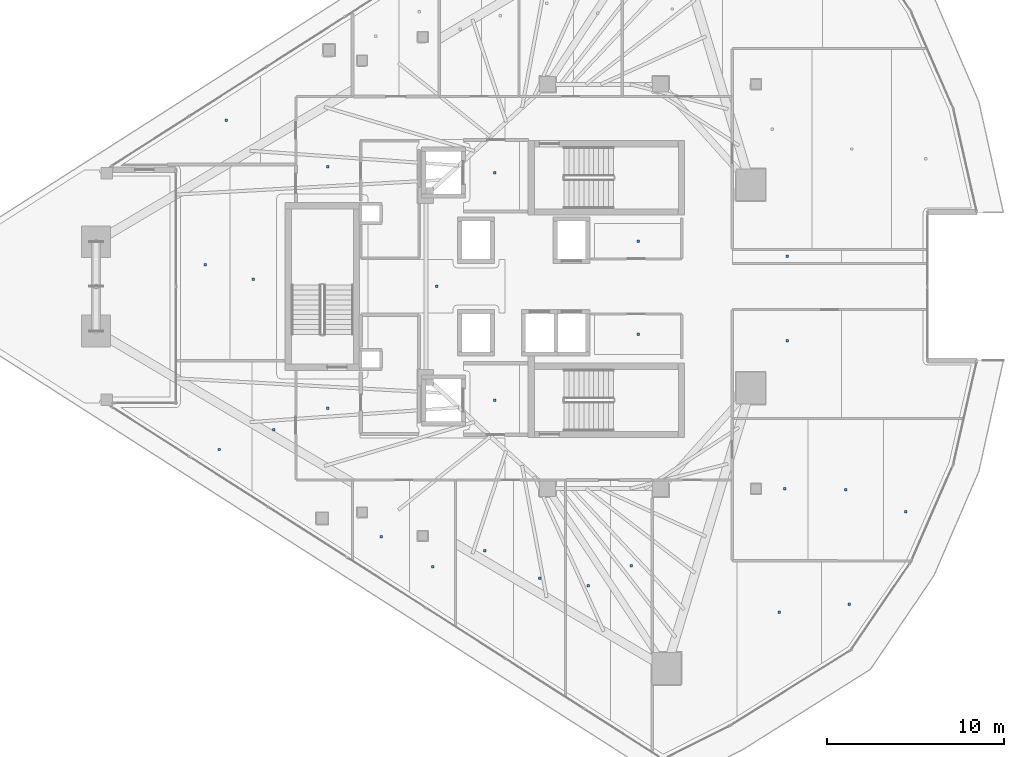
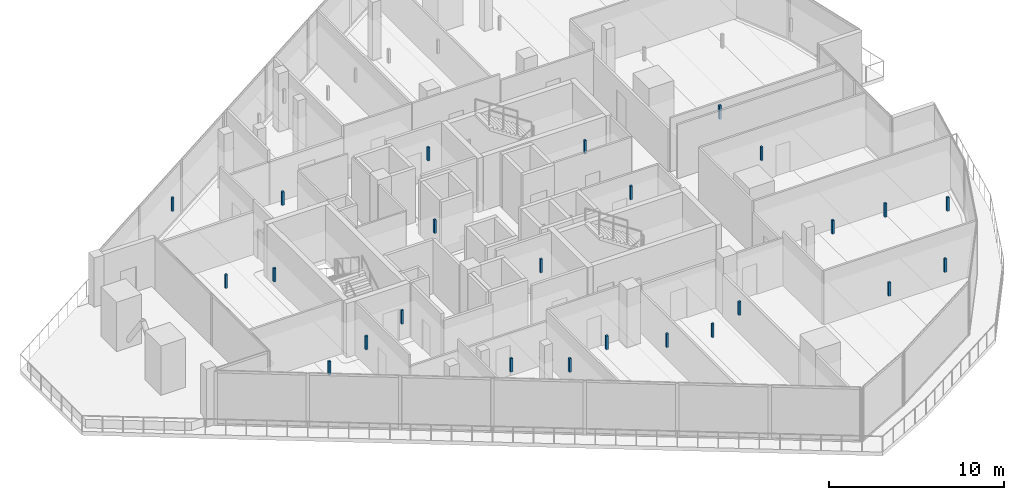
# One storey, part 29 of 36: 25 discrete accessories.
"""IFC4 building model written with IfcOpenShell, lengths in metres."""

import ifcopenshell
import ifcopenshell.guid

model = None  # the IFC model being written
_history = None  # IfcOwnerHistory: only IFC2X3 demands one
_inside = {}  # id of a spatial element -> (the spatial element, [elements in it])
_under = {}  # id of a project, library or spatial element -> (it, [spatial elements below it])
_declared = {}  # id of a project -> (the project, [libraries it declares])
_typed = {}  # id of a type object -> (the type object, [elements of that type])
_made_of = {}  # id of a material, layer set ... -> (it, [elements and type objects made of it])


def new_model(schema):
    """Start an empty IFC model of exactly this schema.

    Asked for "IFC4X3", IfcOpenShell would pick the latest addendum, in which some entities
    have other attributes; the version numbers below select the first issue.
    IFC2X3 requires an IfcOwnerHistory on every rooted entity: one is made here for all.
    """
    global model, _history
    if schema == "IFC4X3":
        model = ifcopenshell.file(schema_version=(4, 3, 0, 0))
    else:
        model = ifcopenshell.file(schema=schema)
    _inside.clear()
    _under.clear()
    _declared.clear()
    _typed.clear()
    _made_of.clear()
    _history = None
    if model.schema == "IFC2X3":
        org = make("IfcOrganization", Name="unknown")
        user = make(
            "IfcPersonAndOrganization",
            ThePerson=make("IfcPerson", FamilyName="unknown"),
            TheOrganization=org,
        )
        app = make(
            "IfcApplication",
            ApplicationDeveloper=org,
            Version="unknown",
            ApplicationFullName="unknown",
            ApplicationIdentifier="unknown",
        )
        _history = make(
            "IfcOwnerHistory",
            OwningUser=user,
            OwningApplication=app,
            ChangeAction="ADDED",
            CreationDate=0,
        )
    return model


def make(cls, **values):
    """One entity of the class cls with the attributes given. An attribute that is None is left unset."""
    return model.create_entity(
        cls, **{name: value for name, value in values.items() if value is not None}
    )


def rooted(cls, **values):
    """An entity with a GlobalId (a new one), such as an element, a storey or a relation."""
    return make(cls, GlobalId=ifcopenshell.guid.new(), OwnerHistory=_history, **values)


def si_unit(unit_type, name, prefix=None):
    """IfcSIUnit, for example si_unit("LENGTHUNIT", "METRE", prefix="MILLI")."""
    return make("IfcSIUnit", UnitType=unit_type, Prefix=prefix, Name=name)


def assignment(units):
    """IfcUnitAssignment: the units of a project."""
    return None if units is None else make("IfcUnitAssignment", Units=units)


def point(xyz):
    """IfcCartesianPoint."""
    return None if xyz is None else make("IfcCartesianPoint", Coordinates=xyz)


def direction(xyz):
    """IfcDirection."""
    return None if xyz is None else make("IfcDirection", DirectionRatios=xyz)


def frame(location, z_axis=None, x_axis=None):
    """IfcAxis2Placement3D, a coordinate frame: its origin and axes. An axis left out is left unset."""
    return make(
        "IfcAxis2Placement3D",
        Location=point(location),
        Axis=direction(z_axis),
        RefDirection=direction(x_axis),
    )


def frame_2d(location, x_axis=None):
    """IfcAxis2Placement2D, a coordinate frame in the plane: its origin and x axis."""
    return make(
        "IfcAxis2Placement2D", Location=point(location), RefDirection=direction(x_axis)
    )


def origin():
    """The frame at (0, 0, 0) with its axes left unset."""
    return frame((0.0, 0.0, 0.0))


def origin_2d():
    """The frame at (0, 0) in the plane with its x axis left unset."""
    return frame_2d((0.0, 0.0))


def place(relative_to, where):
    """IfcLocalPlacement: puts the frame where relative to a parent placement (None: the world)."""
    return make(
        "IfcLocalPlacement", PlacementRelTo=relative_to, RelativePlacement=where
    )


def context(
    kind, dimensions, precision=None, world=None, true_north=None, identifier=None
):
    """IfcGeometricRepresentationContext, for example the 3D "Model" context."""
    return make(
        "IfcGeometricRepresentationContext",
        ContextIdentifier=identifier,
        ContextType=kind,
        CoordinateSpaceDimension=dimensions,
        Precision=precision,
        WorldCoordinateSystem=world,
        TrueNorth=true_north,
    )


def subcontext(parent, identifier, kind, view, scale=None):
    """IfcGeometricRepresentationSubContext, for example "Body" below "Model"."""
    return make(
        "IfcGeometricRepresentationSubContext",
        ContextIdentifier=identifier,
        ContextType=kind,
        ParentContext=parent,
        TargetScale=scale,
        TargetView=view,
    )


def project(units=None, contexts=None):
    """IfcProject with its units and contexts."""
    return rooted(
        "IfcProject",
        Name="project",
        RepresentationContexts=contexts,
        UnitsInContext=assignment(units),
    )


def spatial(cls, under=None, at=None, **own):
    """A site, building, storey or space (cls), placed at a placement, below another one or the project."""
    s = rooted(cls, ObjectPlacement=at, **own)
    if under is not None:
        _under.setdefault(under.id(), (under, []))[1].append(s)
    return s


def profile(cls, at=None, kind="AREA", **sizes):
    """A parametric profile (cls). Its sizes go by their IFC names, for example OverallWidth=200.0."""
    return make(cls, ProfileType=kind, Position=at, **sizes)


def rectangle(**sizes):
    """IfcRectangleProfileDef."""
    return profile("IfcRectangleProfileDef", **sizes)


def extrude(swept, where, along, depth):
    """IfcExtrudedAreaSolid: the profile swept, set in the frame where, extruded along a direction by depth."""
    return make(
        "IfcExtrudedAreaSolid",
        SweptArea=swept,
        Position=where,
        ExtrudedDirection=direction(along),
        Depth=depth,
    )


def shape(context_of_items, identifier, shape_type, items):
    """IfcShapeRepresentation: the items that make up one representation, for example the "Body"."""
    return make(
        "IfcShapeRepresentation",
        ContextOfItems=context_of_items,
        RepresentationIdentifier=identifier,
        RepresentationType=shape_type,
        Items=items,
    )


def material(Name=None, Category=None):
    """IfcMaterial."""
    return make("IfcMaterial", Name=Name, Category=Category)


def made_of(thing, what):
    """Note that an element or type object is made of a material, layer set ...; save() writes the relation."""
    if what is not None:
        _made_of.setdefault(what.id(), (what, []))[1].append(thing)
    return thing


def type_object(cls, material=None, **own):
    """A type object (cls), such as IfcWallType, which elements share."""
    return made_of(rooted(cls, **own), material)


def element(
    cls,
    number,
    at=None,
    inside=None,
    cuts=None,
    type_object=None,
    material=None,
    context=None,
    identifier="Body",
    shape_type=None,
    held_by="IfcProductDefinitionShape",
    body=None,
    shapes=None,
    **own,
):
    """One element of the class cls, such as IfcWall. Its Tag is "e" and its number.

    at: its placement. inside: the storey or other place that contains it. cuts: it is an
    opening in that element (IfcRelVoidsElement). A single representation is given by context,
    identifier, shape_type and body (its items); several are given by shapes. held_by: the class
    of the entity that holds the representations. save() writes the other relations.
    """
    e = rooted(cls, Tag="e%d" % number, ObjectPlacement=at, **own)
    if body is not None:
        shapes = [shape(context, identifier, shape_type, body)]
    if shapes is not None:
        e.Representation = make(held_by, Representations=shapes)
    if inside is not None:
        _inside.setdefault(inside.id(), (inside, []))[1].append(e)
    if cuts is not None:
        rooted(
            "IfcRelVoidsElement", RelatingBuildingElement=cuts, RelatedOpeningElement=e
        )
    if type_object is not None:
        _typed.setdefault(type_object.id(), (type_object, []))[1].append(e)
    return made_of(e, material)


def aggregate(whole, parts):
    """IfcRelAggregates: a whole, such as a stair, and the parts it consists of."""
    return rooted("IfcRelAggregates", RelatingObject=whole, RelatedObjects=parts)


def save(model, path):
    """Write the relations noted so far, then the file.

    IfcRelAggregates (storeys below a building ...), IfcRelContainedInSpatialStructure (elements
    in a storey), IfcRelDefinesByType, IfcRelAssociatesMaterial and IfcRelDeclares: one each for
    every whole, place, type object, material and project.
    """
    for whole, parts in _under.values():
        aggregate(whole, parts)
    for where, things in _inside.values():
        rooted(
            "IfcRelContainedInSpatialStructure",
            RelatedElements=things,
            RelatingStructure=where,
        )
    for kind, things in _typed.values():
        rooted("IfcRelDefinesByType", RelatedObjects=things, RelatingType=kind)
    for what, things in _made_of.values():
        rooted("IfcRelAssociatesMaterial", RelatedObjects=things, RelatingMaterial=what)
    for by, libraries in _declared.values():
        rooted("IfcRelDeclares", RelatingContext=by, RelatedDefinitions=libraries)
    model.write(path)


model = new_model("IFC4")

# Units and contexts
model_context = context("Model", 3, precision=1e-05, world=origin(), true_north=direction((0.0, 1.0)))
body_context = subcontext(model_context, "Body", "Model", "MODEL_VIEW")
ifc_project = project(units=[si_unit("LENGTHUNIT", "METRE"), si_unit("AREAUNIT", "SQUARE_METRE"), si_unit("VOLUMEUNIT", "CUBIC_METRE"), si_unit("PLANEANGLEUNIT", "RADIAN"), si_unit("MASSUNIT", "GRAM", prefix="KILO")], contexts=[model_context])

# Site, building, storey
site_placement = place(None, origin())
site = spatial("IfcSite", under=ifc_project, at=site_placement, CompositionType="ELEMENT")
building_placement = place(site_placement, origin())
building = spatial("IfcBuilding", under=site, at=building_placement, Name="Qorvath Tower", CompositionType="ELEMENT")
storey_placement = place(building_placement, frame((0.0, 0.0, 229.35009765625)))
storey = spatial("IfcBuildingStorey", under=building, at=storey_placement, Name="L53", CompositionType="ELEMENT", Elevation=229.35009765625)

# Discrete accessories
ifc_material = material(Name="Galvanised steel bracket", Category="steel")
discrete_accessory_type = type_object("IfcDiscreteAccessoryType", Name="DA-BRACKET", PredefinedType="BRACKET", material=ifc_material)
for number, where, z_axis, x_axis, name in (
    (1, (-26.590087890625, 6.449951171875, 2.85986328125), (0.0, 0.0, 1.0), (1.0, 0.0, 0.0), "Acoustic Ceiling Suspension Hanger T1-L53-001"),
    (2, (-26.590087890625, -6.449951171875, 2.85986328125), (0.0, 0.0, 1.0), (1.0, 0.0, 0.0), "Acoustic Ceiling Suspension Hanger T1-L53-002"),
    (3, (-18.472412109375, 2.5625, 2.85986328125), (0.0, 0.0, 1.0), (1.0, 0.0, 0.0), "Acoustic Ceiling Suspension Hanger T1-L53-003"),
    (4, (-18.472412109375, -2.70751953125, 2.85986328125), (0.0, 0.0, 1.0), (1.0, 0.0, 0.0), "Acoustic Ceiling Suspension Hanger T1-L53-004"),
    (5, (-36.04150390625, -6.907470703125, 2.85986328125), (0.0, 0.0, 1.0), (1.0, 0.0, 0.0), "Acoustic Ceiling Suspension Hanger T1-L53-007"),
    (6, (-36.040283203125, 6.782470703125, 2.85986328125), (0.0, 0.0, 1.0), (1.0, 0.0, 0.0), "Acoustic Ceiling Suspension Hanger T1-L53-008"),
    (7, (-29.889892578125, 0.0, 2.85986328125), (0.0, 0.0, 1.0), (1.0, 0.0, 0.0), "Acoustic Ceiling Suspension Hanger T1-L53-009"),
    (8, (-33.029052734375, -14.18505859375, 2.85986328125), (0.0, 0.0, 1.0), (1.0, 0.0, 0.0), "Acoustic Ceiling Suspension Hanger T1-L53-019"),
    (9, (-30.11474609375, -15.875, 2.85986328125), (0.0, 0.0, 1.0), (1.0, 0.0, 0.0), "Acoustic Ceiling Suspension Hanger T1-L53-020"),
    (10, (-27.1591796875, -14.971435546875, 2.85986328125), (0.0, 0.0, 1.0), (1.0, 0.0, 0.0), "Acoustic Ceiling Suspension Hanger T1-L53-021"),
    (11, (-24.05615234375, -16.517333984375, 2.85986328125), (0.0, 0.0, 1.0), (1.0, 0.0, 0.0), "Acoustic Ceiling Suspension Hanger T1-L53-022"),
    (12, (-21.308837890625, -16.960205078125, 2.85986328125), (0.0, 0.0, 1.0), (1.0, 0.0, 0.0), "Acoustic Ceiling Suspension Hanger T1-L53-023"),
    (13, (-18.86962890625, -15.81494140625, 2.85986328125), (0.0, 0.0, 1.0), (1.0, 0.0, 0.0), "Acoustic Ceiling Suspension Hanger T1-L53-024"),
    (14, (-10.47509765625, -18.44482421875, 2.85986328125), (0.0, 0.0, 1.0), (1.0, 0.0, 0.0), "Acoustic Ceiling Suspension Hanger T1-L53-026"),
    (15, (-6.5107421875, -17.985107421875, 2.85986328125), (0.0, 0.0, 1.0), (1.0, 0.0, 0.0), "Acoustic Ceiling Suspension Hanger T1-L53-027"),
    (16, (-10.169921875, -11.449951171875, 2.85986328125), (0.0, 0.0, 1.0), (1.0, 0.0, 0.0), "Acoustic Ceiling Suspension Hanger T1-L53-028"),
    (17, (-6.71728515625, -11.50439453125, 2.85986328125), (0.0, 0.0, 1.0), (1.0, 0.0, 0.0), "Acoustic Ceiling Suspension Hanger T1-L53-029"),
    (18, (-3.3291015625, -12.76416015625, 2.85986328125), (0.0, 0.0, 1.0), (1.0, 0.0, 0.0), "Acoustic Ceiling Suspension Hanger T1-L53-030"),
    (19, (-10.041748046875, -3.064208984375, 2.85986328125), (0.0, 0.0, 1.0), (1.0, 0.0, 0.0), "Acoustic Ceiling Suspension Hanger T1-L53-031"),
    (20, (-10.041748046875, 1.70166015625, 2.85986328125), (0.0, 0.0, 1.0), (1.0, 0.0, 0.0), "Acoustic Ceiling Suspension Hanger T1-L53-032"),
    (21, (-42.19189453125, -9.232666015625, 2.85986328125), (0.0, 0.0, 1.0), (1.0, 0.0, 0.0), "Acoustic Ceiling Suspension Hanger T1-L53-037"),
    (22, (-39.098876953125, -8.100830078125, 2.85986328125), (0.0, 0.0, 1.0), (1.0, 0.0, 0.0), "Acoustic Ceiling Suspension Hanger T1-L53-038"),
    (23, (-42.9921875, 1.230712890625, 2.85986328125), (0.0, 0.0, 1.0), (1.0, 0.0, 0.0), "Acoustic Ceiling Suspension Hanger T1-L53-039"),
    (24, (-40.26953125, 0.399169921875, 2.85986328125), (0.0, 0.0, 1.0), (1.0, 0.0, 0.0), "Acoustic Ceiling Suspension Hanger T1-L53-040"),
    (25, (-41.803955078125, 9.41943359375, 2.85986328125), (0.0, 0.0, 1.0), (1.0, 0.0, 0.0), "Acoustic Ceiling Suspension Hanger T1-L53-041"),
):
    element("IfcDiscreteAccessory", number, at=place(storey_placement, frame(where, z_axis=z_axis, x_axis=x_axis)), inside=storey, type_object=discrete_accessory_type, Name=name, PredefinedType="NOTDEFINED", context=body_context, shape_type="SweptSolid", body=[
        extrude(rectangle(XDim=0.139892578125, YDim=0.139892578125, at=origin_2d()), origin(), (0.0, 0.0, 1.0), 0.949951171875),
    ])

save(model, "model.ifc")
